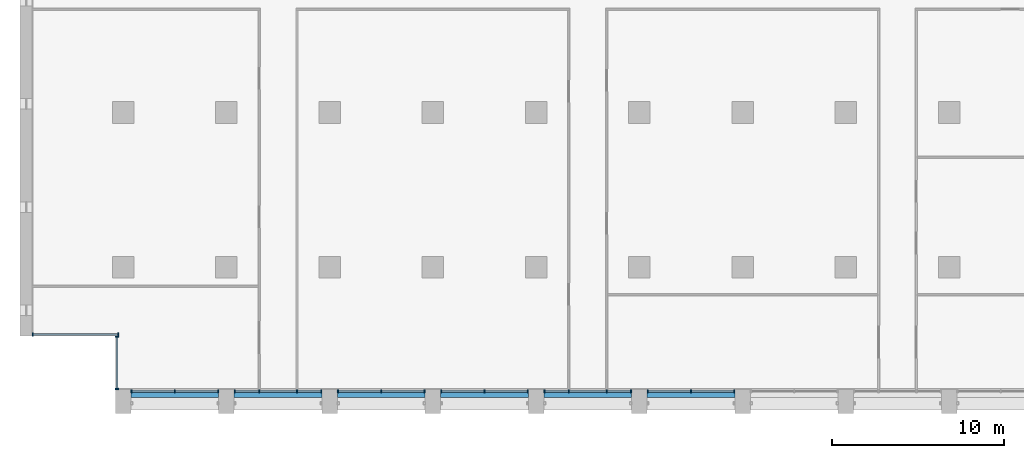
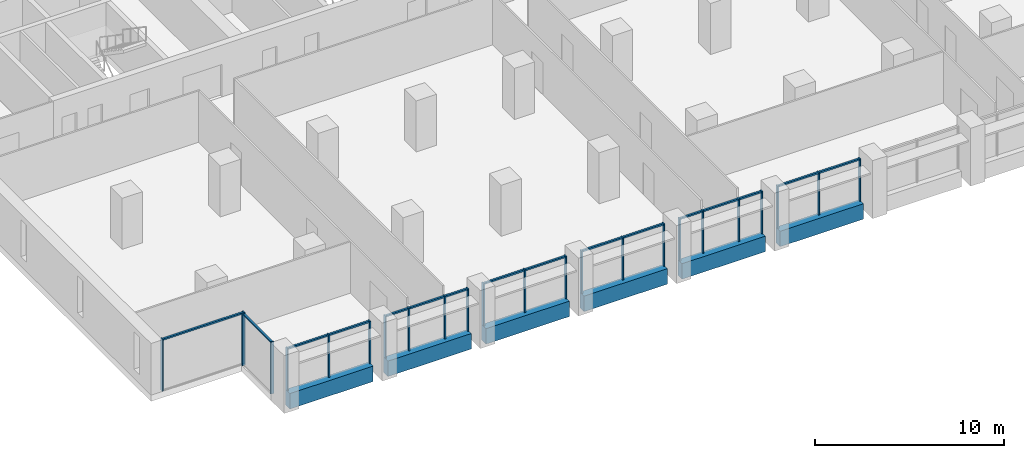
# One storey, part 2 of 16: 40 members, 6 beams, 8 elements without a shape of their own.
"""IFC4 building model written with IfcOpenShell, lengths in metres."""

from ifc_helpers import new_model, si_unit, direction, frame, origin, origin_2d, place, context, subcontext, project, spatial, rectangle, extrude, material, material_profile, profile_set, type_object, element, aggregate, save


model = new_model("IFC4")

# Units and contexts
model_context = context("Model", 3, precision=1e-05, world=origin(), true_north=direction((0.0, 1.0)))
body_context = subcontext(model_context, "Body", "Model", "MODEL_VIEW")
ifc_project = project(units=[si_unit("LENGTHUNIT", "METRE"), si_unit("AREAUNIT", "SQUARE_METRE"), si_unit("VOLUMEUNIT", "CUBIC_METRE"), si_unit("PLANEANGLEUNIT", "RADIAN"), si_unit("MASSUNIT", "GRAM", prefix="KILO")], contexts=[model_context])

# Site, building, storey
site_placement = place(None, origin())
site = spatial("IfcSite", under=ifc_project, at=site_placement, CompositionType="ELEMENT")
building_placement = place(site_placement, origin())
building = spatial("IfcBuilding", under=site, at=building_placement, Name="Calvaro Tower", CompositionType="ELEMENT")
storey_placement = place(building_placement, frame((0.0, 0.0, 136.25)))
storey = spatial("IfcBuildingStorey", under=building, at=storey_placement, Name="L34", CompositionType="ELEMENT", Elevation=136.25)

# Curtain wall, members
ifc_material_1 = material(Name="Anodised aluminium", Category="aluminium")
curtain_wall_type = type_object("IfcCurtainWallType", Name="Office curtain wall, middle zone", PredefinedType="NOTDEFINED", material=ifc_material_1)
curtain_wall_1_placement = place(storey_placement, origin())
curtain_wall_1 = element("IfcCurtainWall", 1, at=curtain_wall_1_placement, inside=storey, type_object=curtain_wall_type, Name="CW2 south curtain wall", PredefinedType="NOTDEFINED")
ifc_material_2 = material(Name="Anodised aluminium", Category="aluminium")
ifc_material_profile_1 = material_profile(ifc_material_2, rectangle(XDim=0.199951171875, YDim=0.070068359375, at=origin_2d()), Name="Mullion S2 70 x 200")
ifc_profile_set_1 = profile_set([ifc_material_profile_1], Name="Anodised aluminium")
member_type_1 = type_object("IfcMemberType", Name="Mullion S2 70 x 200", PredefinedType="MULLION", material=ifc_profile_set_1)
member_1_placement = place(storey_placement, frame((6.485107421875, 2.800048828125, 0.0), z_axis=(0.0, 0.0, 1.0), x_axis=(0.0, 1.0, 0.0)))
member_1 = element("IfcMember", 2, at=member_1_placement, type_object=member_type_1, Name="CW2 mullion 1", PredefinedType="MULLION", context=body_context, shape_type="SweptSolid", body=[
    extrude(rectangle(XDim=0.199951171875, YDim=0.070068359375, at=origin_2d()), origin(), (0.0, 0.0, 1.0), 2.75),
])
member_2_placement = place(storey_placement, frame((9.0, 2.800048828125, 0.0), z_axis=(0.0, 0.0, 1.0), x_axis=(0.0, 1.0, 0.0)))
member_2 = element("IfcMember", 3, at=member_2_placement, type_object=member_type_1, Name="CW2 mullion 2", PredefinedType="MULLION", context=body_context, shape_type="SweptSolid", body=[
    extrude(rectangle(XDim=0.199951171875, YDim=0.070068359375, at=origin_2d()), origin(), (0.0, 0.0, 1.0), 2.75),
])
member_3_placement = place(storey_placement, frame((11.514892578125, 2.800048828125, 0.0), z_axis=(0.0, 0.0, 1.0), x_axis=(0.0, 1.0, 0.0)))
member_3 = element("IfcMember", 4, at=member_3_placement, type_object=member_type_1, Name="CW2 mullion 3", PredefinedType="MULLION", context=body_context, shape_type="SweptSolid", body=[
    extrude(rectangle(XDim=0.199951171875, YDim=0.070068359375, at=origin_2d()), origin(), (0.0, 0.0, 1.0), 2.75),
])

curtain_wall_2_placement = place(storey_placement, origin())
curtain_wall_2 = element("IfcCurtainWall", 5, at=curtain_wall_2_placement, inside=storey, type_object=curtain_wall_type, Name="CW2 south curtain wall", PredefinedType="NOTDEFINED")
member_4_placement = place(storey_placement, frame((12.485107421875, 2.800048828125, 0.0), z_axis=(0.0, 0.0, 1.0), x_axis=(0.0, 1.0, 0.0)))
member_4 = element("IfcMember", 6, at=member_4_placement, type_object=member_type_1, Name="CW2 mullion 1", PredefinedType="MULLION", context=body_context, shape_type="SweptSolid", body=[
    extrude(rectangle(XDim=0.199951171875, YDim=0.070068359375, at=origin_2d()), origin(), (0.0, 0.0, 1.0), 2.75),
])
member_5_placement = place(storey_placement, frame((13.89990234375, 2.800048828125, 0.0), z_axis=(0.0, 0.0, 1.0), x_axis=(0.0, 1.0, 0.0)))
member_5 = element("IfcMember", 7, at=member_5_placement, type_object=member_type_1, Name="CW2 mullion 2", PredefinedType="MULLION", context=body_context, shape_type="SweptSolid", body=[
    extrude(rectangle(XDim=0.199951171875, YDim=0.070068359375, at=origin_2d()), origin(), (0.0, 0.0, 1.0), 2.75),
])
member_6_placement = place(storey_placement, frame((16.10009765625, 2.800048828125, 0.0), z_axis=(0.0, 0.0, 1.0), x_axis=(0.0, 1.0, 0.0)))
member_6 = element("IfcMember", 8, at=member_6_placement, type_object=member_type_1, Name="CW2 mullion 3", PredefinedType="MULLION", context=body_context, shape_type="SweptSolid", body=[
    extrude(rectangle(XDim=0.199951171875, YDim=0.070068359375, at=origin_2d()), origin(), (0.0, 0.0, 1.0), 2.75),
])
member_7_placement = place(storey_placement, frame((17.514892578125, 2.800048828125, 0.0), z_axis=(0.0, 0.0, 1.0), x_axis=(0.0, 1.0, 0.0)))
member_7 = element("IfcMember", 9, at=member_7_placement, type_object=member_type_1, Name="CW2 mullion 4", PredefinedType="MULLION", context=body_context, shape_type="SweptSolid", body=[
    extrude(rectangle(XDim=0.199951171875, YDim=0.070068359375, at=origin_2d()), origin(), (0.0, 0.0, 1.0), 2.75),
])

curtain_wall_3_placement = place(storey_placement, origin())
curtain_wall_3 = element("IfcCurtainWall", 10, at=curtain_wall_3_placement, inside=storey, type_object=curtain_wall_type, Name="CW2 south curtain wall", PredefinedType="NOTDEFINED")
member_8_placement = place(storey_placement, frame((18.485107421875, 2.800048828125, 0.0), z_axis=(0.0, 0.0, 1.0), x_axis=(0.0, 1.0, 0.0)))
member_8 = element("IfcMember", 11, at=member_8_placement, type_object=member_type_1, Name="CW2 mullion 1", PredefinedType="MULLION", context=body_context, shape_type="SweptSolid", body=[
    extrude(rectangle(XDim=0.199951171875, YDim=0.070068359375, at=origin_2d()), origin(), (0.0, 0.0, 1.0), 2.75),
])
member_9_placement = place(storey_placement, frame((21.0, 2.800048828125, 0.0), z_axis=(0.0, 0.0, 1.0), x_axis=(0.0, 1.0, 0.0)))
member_9 = element("IfcMember", 12, at=member_9_placement, type_object=member_type_1, Name="CW2 mullion 2", PredefinedType="MULLION", context=body_context, shape_type="SweptSolid", body=[
    extrude(rectangle(XDim=0.199951171875, YDim=0.070068359375, at=origin_2d()), origin(), (0.0, 0.0, 1.0), 2.75),
])
member_10_placement = place(storey_placement, frame((23.514892578125, 2.800048828125, 0.0), z_axis=(0.0, 0.0, 1.0), x_axis=(0.0, 1.0, 0.0)))
member_10 = element("IfcMember", 13, at=member_10_placement, type_object=member_type_1, Name="CW2 mullion 3", PredefinedType="MULLION", context=body_context, shape_type="SweptSolid", body=[
    extrude(rectangle(XDim=0.199951171875, YDim=0.070068359375, at=origin_2d()), origin(), (0.0, 0.0, 1.0), 2.75),
])

curtain_wall_4_placement = place(storey_placement, origin())
curtain_wall_4 = element("IfcCurtainWall", 14, at=curtain_wall_4_placement, inside=storey, type_object=curtain_wall_type, Name="CW2 south curtain wall", PredefinedType="NOTDEFINED")
member_11_placement = place(storey_placement, frame((24.485107421875, 2.800048828125, 0.0), z_axis=(0.0, 0.0, 1.0), x_axis=(0.0, 1.0, 0.0)))
member_11 = element("IfcMember", 15, at=member_11_placement, type_object=member_type_1, Name="CW2 mullion 1", PredefinedType="MULLION", context=body_context, shape_type="SweptSolid", body=[
    extrude(rectangle(XDim=0.199951171875, YDim=0.070068359375, at=origin_2d()), origin(), (0.0, 0.0, 1.0), 2.75),
])
member_12_placement = place(storey_placement, frame((27.0, 2.800048828125, 0.0), z_axis=(0.0, 0.0, 1.0), x_axis=(0.0, 1.0, 0.0)))
member_12 = element("IfcMember", 16, at=member_12_placement, type_object=member_type_1, Name="CW2 mullion 2", PredefinedType="MULLION", context=body_context, shape_type="SweptSolid", body=[
    extrude(rectangle(XDim=0.199951171875, YDim=0.070068359375, at=origin_2d()), origin(), (0.0, 0.0, 1.0), 2.75),
])
member_13_placement = place(storey_placement, frame((29.514892578125, 2.800048828125, 0.0), z_axis=(0.0, 0.0, 1.0), x_axis=(0.0, 1.0, 0.0)))
member_13 = element("IfcMember", 17, at=member_13_placement, type_object=member_type_1, Name="CW2 mullion 3", PredefinedType="MULLION", context=body_context, shape_type="SweptSolid", body=[
    extrude(rectangle(XDim=0.199951171875, YDim=0.070068359375, at=origin_2d()), origin(), (0.0, 0.0, 1.0), 2.75),
])

curtain_wall_5_placement = place(storey_placement, origin())
curtain_wall_5 = element("IfcCurtainWall", 18, at=curtain_wall_5_placement, inside=storey, type_object=curtain_wall_type, Name="CW2 south curtain wall", PredefinedType="NOTDEFINED")
member_14_placement = place(storey_placement, frame((30.485107421875, 2.800048828125, 0.0), z_axis=(0.0, 0.0, 1.0), x_axis=(0.0, 1.0, 0.0)))
member_14 = element("IfcMember", 19, at=member_14_placement, type_object=member_type_1, Name="CW2 mullion 1", PredefinedType="MULLION", context=body_context, shape_type="SweptSolid", body=[
    extrude(rectangle(XDim=0.199951171875, YDim=0.070068359375, at=origin_2d()), origin(), (0.0, 0.0, 1.0), 2.75),
])
member_15_placement = place(storey_placement, frame((31.89990234375, 2.800048828125, 0.0), z_axis=(0.0, 0.0, 1.0), x_axis=(0.0, 1.0, 0.0)))
member_15 = element("IfcMember", 20, at=member_15_placement, type_object=member_type_1, Name="CW2 mullion 2", PredefinedType="MULLION", context=body_context, shape_type="SweptSolid", body=[
    extrude(rectangle(XDim=0.199951171875, YDim=0.070068359375, at=origin_2d()), origin(), (0.0, 0.0, 1.0), 2.75),
])
member_16_placement = place(storey_placement, frame((34.10009765625, 2.800048828125, 0.0), z_axis=(0.0, 0.0, 1.0), x_axis=(0.0, 1.0, 0.0)))
member_16 = element("IfcMember", 21, at=member_16_placement, type_object=member_type_1, Name="CW2 mullion 3", PredefinedType="MULLION", context=body_context, shape_type="SweptSolid", body=[
    extrude(rectangle(XDim=0.199951171875, YDim=0.070068359375, at=origin_2d()), origin(), (0.0, 0.0, 1.0), 2.75),
])
member_17_placement = place(storey_placement, frame((35.514892578125, 2.800048828125, 0.0), z_axis=(0.0, 0.0, 1.0), x_axis=(0.0, 1.0, 0.0)))
member_17 = element("IfcMember", 22, at=member_17_placement, type_object=member_type_1, Name="CW2 mullion 4", PredefinedType="MULLION", context=body_context, shape_type="SweptSolid", body=[
    extrude(rectangle(XDim=0.199951171875, YDim=0.070068359375, at=origin_2d()), origin(), (0.0, 0.0, 1.0), 2.75),
])

curtain_wall_6_placement = place(storey_placement, origin())
curtain_wall_6 = element("IfcCurtainWall", 23, at=curtain_wall_6_placement, inside=storey, type_object=curtain_wall_type, Name="CW2 south curtain wall", PredefinedType="NOTDEFINED")
member_18_placement = place(storey_placement, frame((36.485107421875, 2.800048828125, 0.0), z_axis=(0.0, 0.0, 1.0), x_axis=(0.0, 1.0, 0.0)))
member_18 = element("IfcMember", 24, at=member_18_placement, type_object=member_type_1, Name="CW2 mullion 1", PredefinedType="MULLION", context=body_context, shape_type="SweptSolid", body=[
    extrude(rectangle(XDim=0.199951171875, YDim=0.070068359375, at=origin_2d()), origin(), (0.0, 0.0, 1.0), 2.75),
])
member_19_placement = place(storey_placement, frame((39.0, 2.800048828125, 0.0), z_axis=(0.0, 0.0, 1.0), x_axis=(0.0, 1.0, 0.0)))
member_19 = element("IfcMember", 25, at=member_19_placement, type_object=member_type_1, Name="CW2 mullion 2", PredefinedType="MULLION", context=body_context, shape_type="SweptSolid", body=[
    extrude(rectangle(XDim=0.199951171875, YDim=0.070068359375, at=origin_2d()), origin(), (0.0, 0.0, 1.0), 2.75),
])
member_20_placement = place(storey_placement, frame((41.514892578125, 2.800048828125, 0.0), z_axis=(0.0, 0.0, 1.0), x_axis=(0.0, 1.0, 0.0)))
member_20 = element("IfcMember", 26, at=member_20_placement, type_object=member_type_1, Name="CW2 mullion 3", PredefinedType="MULLION", context=body_context, shape_type="SweptSolid", body=[
    extrude(rectangle(XDim=0.199951171875, YDim=0.070068359375, at=origin_2d()), origin(), (0.0, 0.0, 1.0), 2.75),
])

curtain_wall_7_placement = place(storey_placement, origin())
curtain_wall_7 = element("IfcCurtainWall", 27, at=curtain_wall_7_placement, inside=storey, type_object=curtain_wall_type, Name="CW2 corner curtain wall", PredefinedType="NOTDEFINED")
member_21_placement = place(storey_placement, frame((5.64990234375, 2.93505859375, 0.0), z_axis=(0.0, 0.0, 1.0), x_axis=(-1.0, 0.0, 0.0)))
member_21 = element("IfcMember", 28, at=member_21_placement, type_object=member_type_1, Name="CW2 mullion 1", PredefinedType="MULLION", context=body_context, shape_type="SweptSolid", body=[
    extrude(rectangle(XDim=0.199951171875, YDim=0.070068359375, at=origin_2d()), origin(), (0.0, 0.0, 1.0), 3.35009765625),
])
member_22_placement = place(storey_placement, frame((5.64990234375, 5.965087890625, 0.0), z_axis=(0.0, 0.0, 1.0), x_axis=(-1.0, 0.0, 0.0)))
member_22 = element("IfcMember", 29, at=member_22_placement, type_object=member_type_1, Name="CW2 mullion 2", PredefinedType="MULLION", context=body_context, shape_type="SweptSolid", body=[
    extrude(rectangle(XDim=0.199951171875, YDim=0.070068359375, at=origin_2d()), origin(), (0.0, 0.0, 1.0), 3.35009765625),
])

curtain_wall_8_placement = place(storey_placement, origin())
curtain_wall_8 = element("IfcCurtainWall", 30, at=curtain_wall_8_placement, inside=storey, type_object=curtain_wall_type, Name="CW2 corner curtain wall", PredefinedType="NOTDEFINED")
member_23_placement = place(storey_placement, frame((0.735107421875, 6.10009765625, 0.0), z_axis=(0.0, 0.0, 1.0), x_axis=(0.0, 1.0, 0.0)))
member_23 = element("IfcMember", 31, at=member_23_placement, type_object=member_type_1, Name="CW2 mullion 1", PredefinedType="MULLION", context=body_context, shape_type="SweptSolid", body=[
    extrude(rectangle(XDim=0.199951171875, YDim=0.070068359375, at=origin_2d()), origin(), (0.0, 0.0, 1.0), 3.35009765625),
])
member_24_placement = place(storey_placement, frame((5.715087890625, 6.10009765625, 0.0), z_axis=(0.0, 0.0, 1.0), x_axis=(0.0, 1.0, 0.0)))
member_24 = element("IfcMember", 32, at=member_24_placement, type_object=member_type_1, Name="CW2 mullion 2", PredefinedType="MULLION", context=body_context, shape_type="SweptSolid", body=[
    extrude(rectangle(XDim=0.199951171875, YDim=0.070068359375, at=origin_2d()), origin(), (0.0, 0.0, 1.0), 3.35009765625),
])

# Beams
ifc_material_3 = material(Name="Concrete C50/60 precast", Category="concrete")
ifc_material_profile_2 = material_profile(ifc_material_3, rectangle(XDim=0.449951171875, YDim=1.0, at=origin_2d()), Name="RC 450x1000")
ifc_profile_set_2 = profile_set([ifc_material_profile_2], Name="Concrete C50/60 precast")
beam_type = type_object("IfcBeamType", Name="Spandrel beam 450x1000 C50/60", PredefinedType="SPANDREL", material=ifc_profile_set_2)
for number, where, z_axis, x_axis, name in (
    (33, (6.449951171875, 2.675048828125, -0.5), (1.0, 0.0, 0.0), (0.0, 1.0, 0.0), "Spandrel beam"),
    (34, (12.449951171875, 2.675048828125, -0.5), (1.0, 0.0, 0.0), (0.0, 1.0, 0.0), "Spandrel beam"),
    (35, (18.449951171875, 2.675048828125, -0.5), (1.0, 0.0, 0.0), (0.0, 1.0, 0.0), "Spandrel beam"),
    (36, (24.449951171875, 2.675048828125, -0.5), (1.0, 0.0, 0.0), (0.0, 1.0, 0.0), "Spandrel beam"),
    (37, (30.449951171875, 2.675048828125, -0.5), (1.0, 0.0, 0.0), (0.0, 1.0, 0.0), "Spandrel beam"),
    (38, (36.449951171875, 2.675048828125, -0.5), (1.0, 0.0, 0.0), (0.0, 1.0, 0.0), "Spandrel beam"),
):
    element("IfcBeam", number, at=place(storey_placement, frame(where, z_axis=z_axis, x_axis=x_axis)), inside=storey, type_object=beam_type, Name=name, PredefinedType="SPANDREL", context=body_context, shape_type="SweptSolid", body=[
        extrude(rectangle(XDim=0.449951171875, YDim=1.0, at=origin_2d()), origin(), (0.0, 0.0, 1.0), 5.10009765625),
    ])

# Member
ifc_material_4 = material(Name="Anodised aluminium", Category="aluminium")
ifc_material_profile_3 = material_profile(ifc_material_4, rectangle(XDim=0.1201171875, YDim=0.10009765625, at=origin_2d()), Name="Transom S2 100 x 120")
ifc_profile_set_3 = profile_set([ifc_material_profile_3], Name="Anodised aluminium")
member_type_2 = type_object("IfcMemberType", Name="Transom S2 100 x 120", PredefinedType="USERDEFINED", material=ifc_profile_set_3)
member_25_placement = place(storey_placement, frame((6.52001953125, 2.800048828125, 2.699951171875), z_axis=(1.0, 0.0, 0.0), x_axis=(0.0, 1.0, 0.0)))
member_25 = element("IfcMember", 39, at=member_25_placement, type_object=member_type_2, Name="CW2 transom 1.1", ObjectType="TRANSOM", PredefinedType="USERDEFINED", context=body_context, shape_type="SweptSolid", body=[
    extrude(rectangle(XDim=0.1201171875, YDim=0.10009765625, at=origin_2d()), origin(), (0.0, 0.0, 1.0), 2.445068359375),
])

member_26_placement = place(storey_placement, frame((9.034912109375, 2.800048828125, 2.699951171875), z_axis=(1.0, 0.0, 0.0), x_axis=(0.0, 1.0, 0.0)))
member_26 = element("IfcMember", 40, at=member_26_placement, type_object=member_type_2, Name="CW2 transom 2.1", ObjectType="TRANSOM", PredefinedType="USERDEFINED", context=body_context, shape_type="SweptSolid", body=[
    extrude(rectangle(XDim=0.1201171875, YDim=0.10009765625, at=origin_2d()), origin(), (0.0, 0.0, 1.0), 2.445068359375),
])

aggregate(curtain_wall_1, [member_1, member_2, member_3, member_25, member_26])

member_27_placement = place(storey_placement, frame((12.52001953125, 2.800048828125, 2.699951171875), z_axis=(1.0, 0.0, 0.0), x_axis=(0.0, 1.0, 0.0)))
member_27 = element("IfcMember", 41, at=member_27_placement, type_object=member_type_2, Name="CW2 transom 1.1", ObjectType="TRANSOM", PredefinedType="USERDEFINED", context=body_context, shape_type="SweptSolid", body=[
    extrude(rectangle(XDim=0.1201171875, YDim=0.10009765625, at=origin_2d()), origin(), (0.0, 0.0, 1.0), 1.344970703125),
])

member_28_placement = place(storey_placement, frame((13.93505859375, 2.800048828125, 2.699951171875), z_axis=(1.0, 0.0, 0.0), x_axis=(0.0, 1.0, 0.0)))
member_28 = element("IfcMember", 42, at=member_28_placement, type_object=member_type_2, Name="CW2 transom 2.1", ObjectType="TRANSOM", PredefinedType="USERDEFINED", context=body_context, shape_type="SweptSolid", body=[
    extrude(rectangle(XDim=0.1201171875, YDim=0.10009765625, at=origin_2d()), origin(), (0.0, 0.0, 1.0), 2.1298828125),
])

member_29_placement = place(storey_placement, frame((16.135009765625, 2.800048828125, 2.699951171875), z_axis=(1.0, 0.0, 0.0), x_axis=(0.0, 1.0, 0.0)))
member_29 = element("IfcMember", 43, at=member_29_placement, type_object=member_type_2, Name="CW2 transom 3.1", ObjectType="TRANSOM", PredefinedType="USERDEFINED", context=body_context, shape_type="SweptSolid", body=[
    extrude(rectangle(XDim=0.1201171875, YDim=0.10009765625, at=origin_2d()), origin(), (0.0, 0.0, 1.0), 1.344970703125),
])

aggregate(curtain_wall_2, [member_4, member_5, member_6, member_7, member_27, member_28, member_29])

member_30_placement = place(storey_placement, frame((18.52001953125, 2.800048828125, 2.699951171875), z_axis=(1.0, 0.0, 0.0), x_axis=(0.0, 1.0, 0.0)))
member_30 = element("IfcMember", 44, at=member_30_placement, type_object=member_type_2, Name="CW2 transom 1.1", ObjectType="TRANSOM", PredefinedType="USERDEFINED", context=body_context, shape_type="SweptSolid", body=[
    extrude(rectangle(XDim=0.1201171875, YDim=0.10009765625, at=origin_2d()), origin(), (0.0, 0.0, 1.0), 2.445068359375),
])

member_31_placement = place(storey_placement, frame((21.034912109375, 2.800048828125, 2.699951171875), z_axis=(1.0, 0.0, 0.0), x_axis=(0.0, 1.0, 0.0)))
member_31 = element("IfcMember", 45, at=member_31_placement, type_object=member_type_2, Name="CW2 transom 2.1", ObjectType="TRANSOM", PredefinedType="USERDEFINED", context=body_context, shape_type="SweptSolid", body=[
    extrude(rectangle(XDim=0.1201171875, YDim=0.10009765625, at=origin_2d()), origin(), (0.0, 0.0, 1.0), 2.445068359375),
])

aggregate(curtain_wall_3, [member_8, member_9, member_10, member_30, member_31])

member_32_placement = place(storey_placement, frame((24.52001953125, 2.800048828125, 2.699951171875), z_axis=(1.0, 0.0, 0.0), x_axis=(0.0, 1.0, 0.0)))
member_32 = element("IfcMember", 46, at=member_32_placement, type_object=member_type_2, Name="CW2 transom 1.1", ObjectType="TRANSOM", PredefinedType="USERDEFINED", context=body_context, shape_type="SweptSolid", body=[
    extrude(rectangle(XDim=0.1201171875, YDim=0.10009765625, at=origin_2d()), origin(), (0.0, 0.0, 1.0), 2.445068359375),
])

member_33_placement = place(storey_placement, frame((27.034912109375, 2.800048828125, 2.699951171875), z_axis=(1.0, 0.0, 0.0), x_axis=(0.0, 1.0, 0.0)))
member_33 = element("IfcMember", 47, at=member_33_placement, type_object=member_type_2, Name="CW2 transom 2.1", ObjectType="TRANSOM", PredefinedType="USERDEFINED", context=body_context, shape_type="SweptSolid", body=[
    extrude(rectangle(XDim=0.1201171875, YDim=0.10009765625, at=origin_2d()), origin(), (0.0, 0.0, 1.0), 2.445068359375),
])

aggregate(curtain_wall_4, [member_11, member_12, member_13, member_32, member_33])

member_34_placement = place(storey_placement, frame((30.52001953125, 2.800048828125, 2.699951171875), z_axis=(1.0, 0.0, 0.0), x_axis=(0.0, 1.0, 0.0)))
member_34 = element("IfcMember", 48, at=member_34_placement, type_object=member_type_2, Name="CW2 transom 1.1", ObjectType="TRANSOM", PredefinedType="USERDEFINED", context=body_context, shape_type="SweptSolid", body=[
    extrude(rectangle(XDim=0.1201171875, YDim=0.10009765625, at=origin_2d()), origin(), (0.0, 0.0, 1.0), 1.344970703125),
])

member_35_placement = place(storey_placement, frame((31.93505859375, 2.800048828125, 2.699951171875), z_axis=(1.0, 0.0, 0.0), x_axis=(0.0, 1.0, 0.0)))
member_35 = element("IfcMember", 49, at=member_35_placement, type_object=member_type_2, Name="CW2 transom 2.1", ObjectType="TRANSOM", PredefinedType="USERDEFINED", context=body_context, shape_type="SweptSolid", body=[
    extrude(rectangle(XDim=0.1201171875, YDim=0.10009765625, at=origin_2d()), origin(), (0.0, 0.0, 1.0), 2.1298828125),
])

member_36_placement = place(storey_placement, frame((34.135009765625, 2.800048828125, 2.699951171875), z_axis=(1.0, 0.0, 0.0), x_axis=(0.0, 1.0, 0.0)))
member_36 = element("IfcMember", 50, at=member_36_placement, type_object=member_type_2, Name="CW2 transom 3.1", ObjectType="TRANSOM", PredefinedType="USERDEFINED", context=body_context, shape_type="SweptSolid", body=[
    extrude(rectangle(XDim=0.1201171875, YDim=0.10009765625, at=origin_2d()), origin(), (0.0, 0.0, 1.0), 1.344970703125),
])

aggregate(curtain_wall_5, [member_14, member_15, member_16, member_17, member_34, member_35, member_36])

member_37_placement = place(storey_placement, frame((36.52001953125, 2.800048828125, 2.699951171875), z_axis=(1.0, 0.0, 0.0), x_axis=(0.0, 1.0, 0.0)))
member_37 = element("IfcMember", 51, at=member_37_placement, type_object=member_type_2, Name="CW2 transom 1.1", ObjectType="TRANSOM", PredefinedType="USERDEFINED", context=body_context, shape_type="SweptSolid", body=[
    extrude(rectangle(XDim=0.1201171875, YDim=0.10009765625, at=origin_2d()), origin(), (0.0, 0.0, 1.0), 2.445068359375),
])

member_38_placement = place(storey_placement, frame((39.034912109375, 2.800048828125, 2.699951171875), z_axis=(1.0, 0.0, 0.0), x_axis=(0.0, 1.0, 0.0)))
member_38 = element("IfcMember", 52, at=member_38_placement, type_object=member_type_2, Name="CW2 transom 2.1", ObjectType="TRANSOM", PredefinedType="USERDEFINED", context=body_context, shape_type="SweptSolid", body=[
    extrude(rectangle(XDim=0.1201171875, YDim=0.10009765625, at=origin_2d()), origin(), (0.0, 0.0, 1.0), 2.445068359375),
])

aggregate(curtain_wall_6, [member_18, member_19, member_20, member_37, member_38])

member_39_placement = place(storey_placement, frame((5.64990234375, 2.969970703125, 3.300048828125), z_axis=(0.0, 1.0, 0.0), x_axis=(-1.0, 0.0, 0.0)))
member_39 = element("IfcMember", 53, at=member_39_placement, type_object=member_type_2, Name="CW2 transom 1.1", ObjectType="TRANSOM", PredefinedType="USERDEFINED", context=body_context, shape_type="SweptSolid", body=[
    extrude(rectangle(XDim=0.1201171875, YDim=0.10009765625, at=origin_2d()), origin(), (0.0, 0.0, 1.0), 2.9599609375),
])

aggregate(curtain_wall_7, [member_21, member_22, member_39])

member_40_placement = place(storey_placement, frame((0.77001953125, 6.10009765625, 3.300048828125), z_axis=(1.0, 0.0, 0.0), x_axis=(0.0, 1.0, 0.0)))
member_40 = element("IfcMember", 54, at=member_40_placement, type_object=member_type_2, Name="CW2 transom 1.1", ObjectType="TRANSOM", PredefinedType="USERDEFINED", context=body_context, shape_type="SweptSolid", body=[
    extrude(rectangle(XDim=0.1201171875, YDim=0.10009765625, at=origin_2d()), origin(), (0.0, 0.0, 1.0), 4.909912109375),
])

aggregate(curtain_wall_8, [member_23, member_24, member_40])

save(model, "model.ifc")
